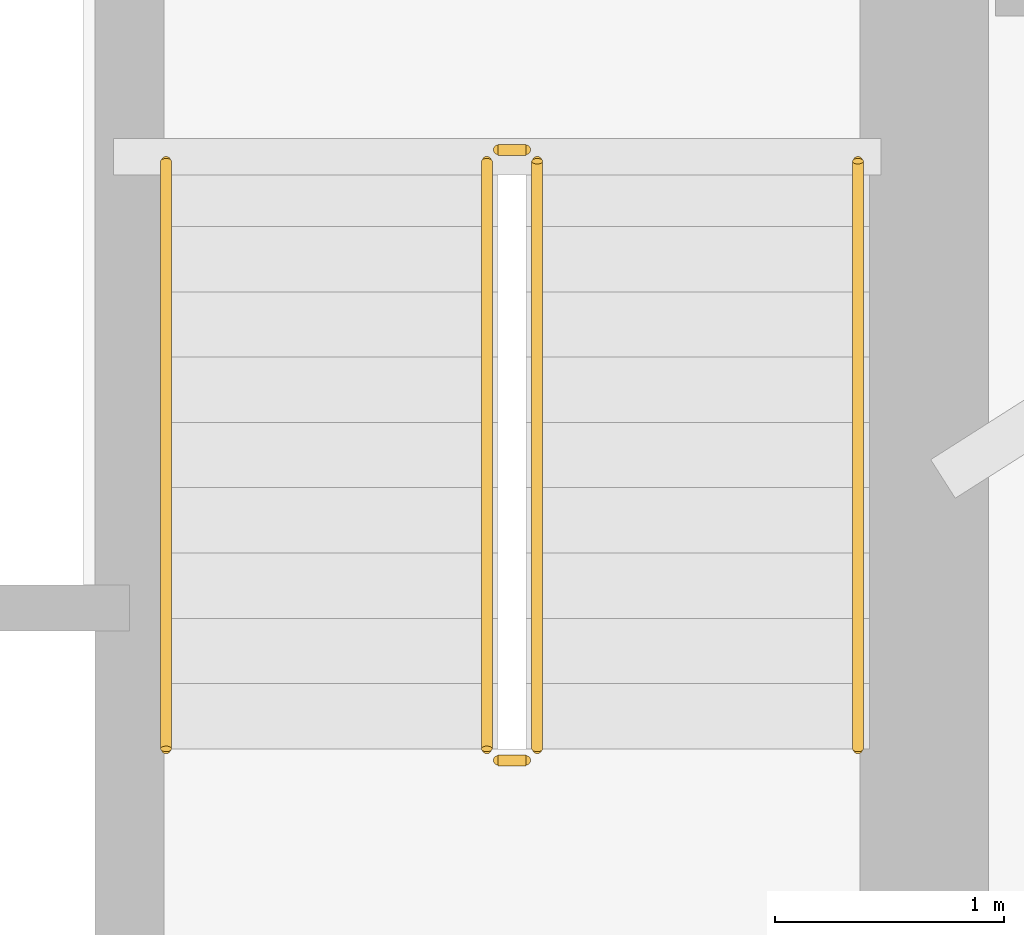
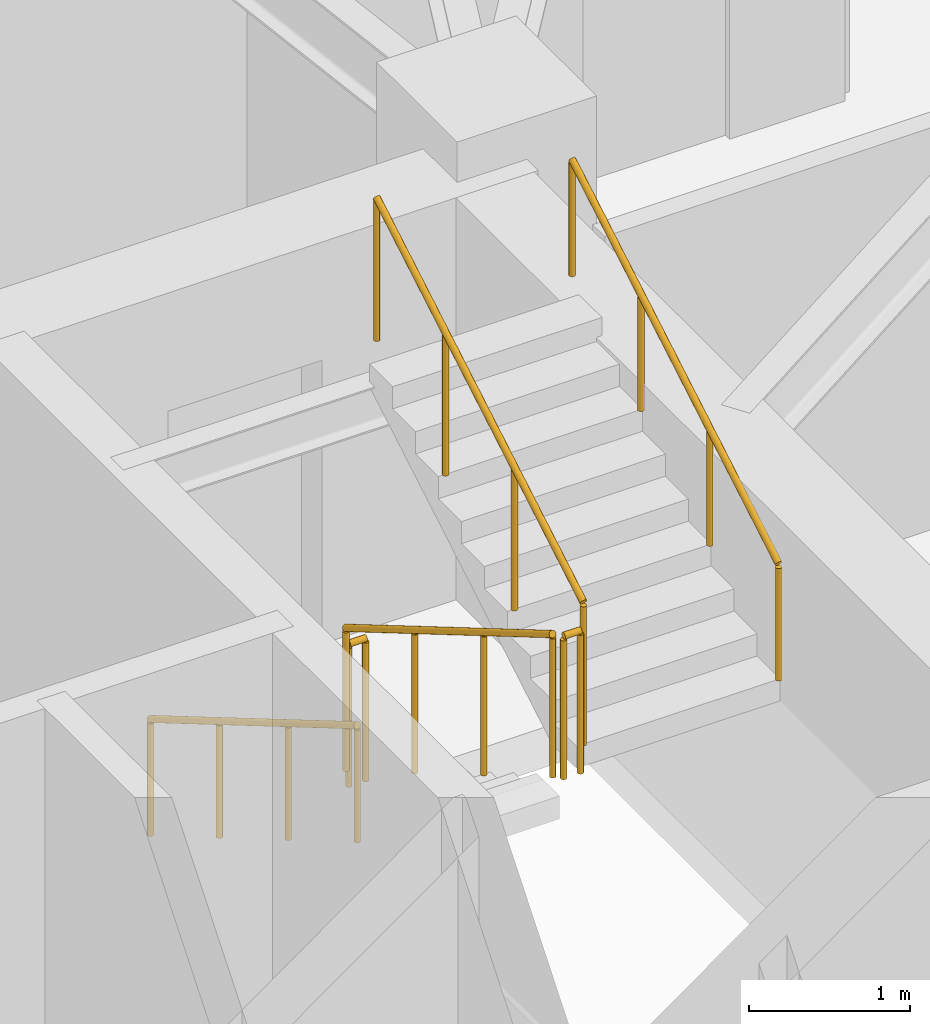
# One storey, part 17 of 17: 6 railings.
"""IFC4 building model written with IfcOpenShell, lengths in metres."""

from ifc_helpers import new_model, si_unit, direction, frame, origin, origin_2d, place, context, subcontext, project, spatial, circle, extrude, material, type_object, element, save


model = new_model("IFC4")

# Units and contexts
model_context = context("Model", 3, precision=1e-05, world=origin(), true_north=direction((0.0, 1.0)))
body_context = subcontext(model_context, "Body", "Model", "MODEL_VIEW")
ifc_project = project(units=[si_unit("LENGTHUNIT", "METRE"), si_unit("AREAUNIT", "SQUARE_METRE"), si_unit("VOLUMEUNIT", "CUBIC_METRE"), si_unit("PLANEANGLEUNIT", "RADIAN"), si_unit("MASSUNIT", "GRAM", prefix="KILO")], contexts=[model_context])

# Site, building, storey
site_placement = place(None, origin())
site = spatial("IfcSite", under=ifc_project, at=site_placement, CompositionType="ELEMENT")
building_placement = place(site_placement, origin())
building = spatial("IfcBuilding", under=site, at=building_placement, Name="Qobustan Lattice House", CompositionType="ELEMENT")
storey_placement = place(building_placement, frame((0.0, 0.0, 105.800048828125)))
storey = spatial("IfcBuildingStorey", under=building, at=storey_placement, Name="L29", CompositionType="ELEMENT", Elevation=105.800048828125)

# Railings
ifc_material_1 = material(Name="Brushed stainless steel handrail", Category="steel")
railing_type_1 = type_object("IfcRailingType", Name="RAL-HR-920", PredefinedType="HANDRAIL", material=ifc_material_1)
railing_1_placement = place(storey_placement, frame((15.179931640625, 3.5, 0.16748046875)))
element("IfcRailing", 1, at=railing_1_placement, inside=storey, type_object=railing_type_1, Name="L29 ST-E1 stair handrail 1", PredefinedType="HANDRAIL", context=body_context, shape_type="SweptSolid", body=[
    extrude(circle(Radius=0.02392578125, at=origin_2d()), frame((0.0, 0.0, 0.8759765625), z_axis=(0.0, -0.862113467892, 0.50671527358), x_axis=(1.0, 0.0, 0.0)), (0.0, 0.0, 1.0), 2.97509765625),
    extrude(circle(Radius=0.02099609375, at=origin_2d()), origin(), (0.0, 0.0, 1.0), 0.851806640625),
    extrude(circle(Radius=0.02099609375, at=origin_2d()), frame((0.0, -0.85498046875, 0.50244140625)), (0.0, 0.0, 1.0), 0.851806640625),
    extrude(circle(Radius=0.02099609375, at=origin_2d()), frame((0.0, -1.7099609375, 1.005126953125)), (0.0, 0.0, 1.0), 0.851806640625),
    extrude(circle(Radius=0.02099609375, at=origin_2d()), frame((0.0, -2.56494140625, 1.507568359375)), (0.0, 0.0, 1.0), 0.851806640625),
])
railing_2_placement = place(storey_placement, frame((18.199951171875, 0.93505859375, 1.842529296875)))
element("IfcRailing", 2, at=railing_2_placement, inside=storey, type_object=railing_type_1, Name="L29 ST-E1 stair handrail 2", PredefinedType="HANDRAIL", context=body_context, shape_type="SweptSolid", body=[
    extrude(circle(Radius=0.02392578125, at=origin_2d()), frame((0.0, 0.0, 0.8759765625), z_axis=(0.0, 0.862149314443, 0.506654280161), x_axis=(-1.0, 0.0, 0.0)), (0.0, 0.0, 1.0), 2.97509765625),
    extrude(circle(Radius=0.02099609375, at=origin_2d()), origin(), (0.0, 0.0, 1.0), 0.851806640625),
    extrude(circle(Radius=0.02099609375, at=origin_2d()), frame((0.0, 0.85498046875, 0.50244140625)), (0.0, 0.0, 1.0), 0.851806640625),
    extrude(circle(Radius=0.02099609375, at=origin_2d()), frame((0.0, 1.7099609375, 1.0048828125)), (0.0, 0.0, 1.0), 0.851806640625),
    extrude(circle(Radius=0.02099609375, at=origin_2d()), frame((0.0, 2.56494140625, 1.50732421875)), (0.0, 0.0, 1.0), 0.851806640625),
])
ifc_material_2 = material(Name="Painted galvanized steel guardrail", Category="steel")
railing_type_2 = type_object("IfcRailingType", Name="RAL-STG-1150", PredefinedType="GUARDRAIL", material=ifc_material_2)
railing_3_placement = place(storey_placement, frame((16.580078125, 3.5, 0.16748046875)))
element("IfcRailing", 3, at=railing_3_placement, inside=storey, type_object=railing_type_2, Name="L29 ST-E1 stair guard 1", PredefinedType="GUARDRAIL", context=body_context, shape_type="SweptSolid", body=[
    extrude(circle(Radius=0.02392578125, at=origin_2d()), frame((0.0, 0.0, 1.076171875), z_axis=(0.0, -0.862113467892, 0.50671527358), x_axis=(1.0, 0.0, 0.0)), (0.0, 0.0, 1.0), 2.97509765625),
    extrude(circle(Radius=0.02099609375, at=origin_2d()), origin(), (0.0, 0.0, 1.0), 1.052001953125),
    extrude(circle(Radius=0.02099609375, at=origin_2d()), frame((0.0, -0.85498046875, 0.50244140625)), (0.0, 0.0, 1.0), 1.052001953125),
    extrude(circle(Radius=0.02099609375, at=origin_2d()), frame((0.0, -1.7099609375, 1.005126953125)), (0.0, 0.0, 1.0), 1.052001953125),
    extrude(circle(Radius=0.02099609375, at=origin_2d()), frame((0.0, -2.56494140625, 1.507568359375)), (0.0, 0.0, 1.0), 1.052001953125),
])
railing_4_placement = place(storey_placement, frame((16.6298828125, 0.885009765625, 1.675048828125)))
element("IfcRailing", 4, at=railing_4_placement, inside=storey, type_object=railing_type_2, Name="L29 ST-E1 stair guard 2", PredefinedType="GUARDRAIL", context=body_context, shape_type="SweptSolid", body=[
    extrude(circle(Radius=0.02392578125, at=origin_2d()), frame((0.0, 0.0, 1.076171875), z_axis=(1.0, 0.0, 0.0), x_axis=(0.0, 1.0, 0.0)), (0.0, 0.0, 1.0), 0.1201171875),
    extrude(circle(Radius=0.02099609375, at=origin_2d()), origin(), (0.0, 0.0, 1.0), 1.052001953125),
    extrude(circle(Radius=0.02099609375, at=origin_2d()), frame((0.1201171875, 0.0, 0.0)), (0.0, 0.0, 1.0), 1.052001953125),
])
railing_5_placement = place(storey_placement, frame((16.800048828125, 0.93505859375, 1.842529296875)))
element("IfcRailing", 5, at=railing_5_placement, inside=storey, type_object=railing_type_2, Name="L29 ST-E1 stair guard 3", PredefinedType="GUARDRAIL", context=body_context, shape_type="SweptSolid", body=[
    extrude(circle(Radius=0.02392578125, at=origin_2d()), frame((0.0, 0.0, 1.076171875), z_axis=(0.0, 0.862149314443, 0.506654280161), x_axis=(-1.0, 0.0, 0.0)), (0.0, 0.0, 1.0), 2.97509765625),
    extrude(circle(Radius=0.02099609375, at=origin_2d()), origin(), (0.0, 0.0, 1.0), 1.052001953125),
    extrude(circle(Radius=0.02099609375, at=origin_2d()), frame((0.0, 0.85498046875, 0.50244140625)), (0.0, 0.0, 1.0), 1.052001953125),
    extrude(circle(Radius=0.02099609375, at=origin_2d()), frame((0.0, 1.7099609375, 1.0048828125)), (0.0, 0.0, 1.0), 1.052001953125),
    extrude(circle(Radius=0.02099609375, at=origin_2d()), frame((0.0, 2.56494140625, 1.50732421875)), (0.0, 0.0, 1.0), 1.052001953125),
])
railing_6_placement = place(storey_placement, frame((16.6298828125, 3.550048828125, 0.0)))
element("IfcRailing", 6, at=railing_6_placement, inside=storey, type_object=railing_type_2, Name="L29 ST-E1 stair guard 4", PredefinedType="GUARDRAIL", context=body_context, shape_type="SweptSolid", body=[
    extrude(circle(Radius=0.02392578125, at=origin_2d()), frame((0.0, 0.0, 1.076171875), z_axis=(1.0, 0.0, 0.0), x_axis=(0.0, 1.0, 0.0)), (0.0, 0.0, 1.0), 0.1201171875),
    extrude(circle(Radius=0.02099609375, at=origin_2d()), origin(), (0.0, 0.0, 1.0), 1.052001953125),
    extrude(circle(Radius=0.02099609375, at=origin_2d()), frame((0.1201171875, 0.0, 0.0)), (0.0, 0.0, 1.0), 1.052001953125),
])

save(model, "model.ifc")
